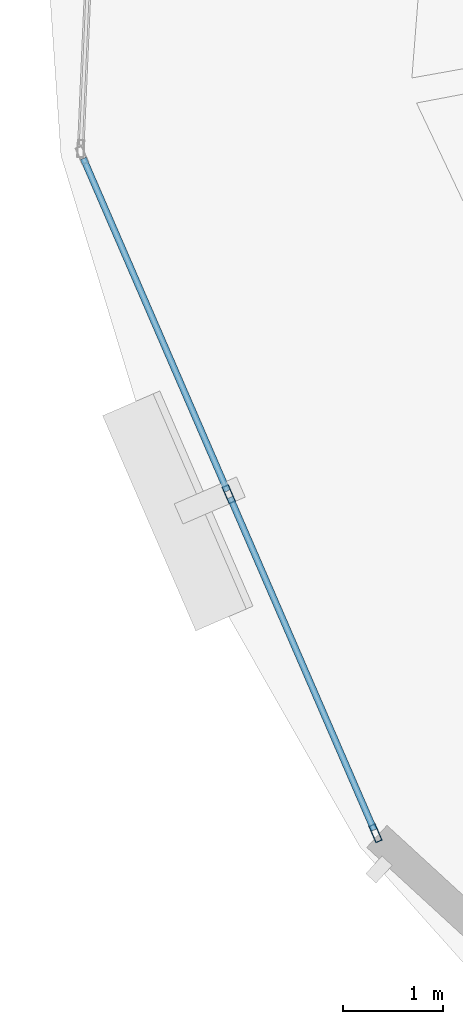
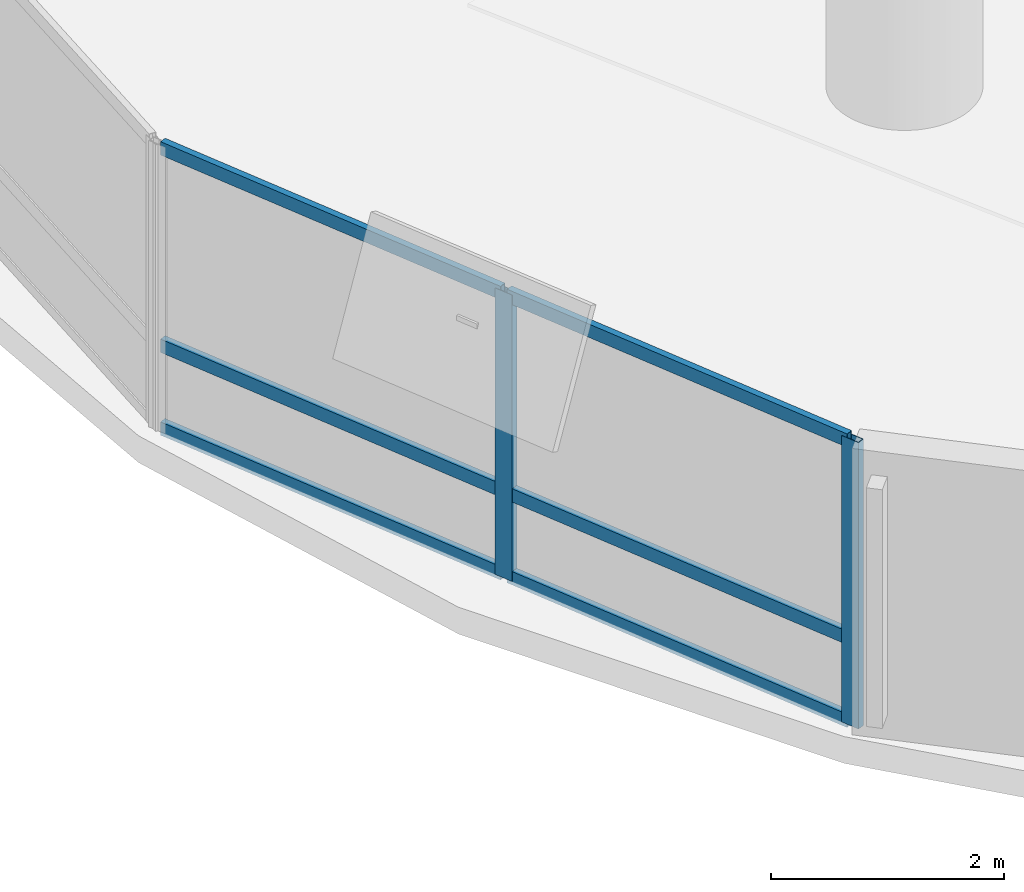
# One storey, part 2 of 17: 8 members, 1 element without a shape of its own.
"""IFC4 building model written with IfcOpenShell, lengths in metres."""

import ifcopenshell
import ifcopenshell.guid

model = None  # the IFC model being written
_history = None  # IfcOwnerHistory: only IFC2X3 demands one
_inside = {}  # id of a spatial element -> (the spatial element, [elements in it])
_under = {}  # id of a project, library or spatial element -> (it, [spatial elements below it])
_declared = {}  # id of a project -> (the project, [libraries it declares])
_typed = {}  # id of a type object -> (the type object, [elements of that type])
_made_of = {}  # id of a material, layer set ... -> (it, [elements and type objects made of it])


def new_model(schema):
    """Start an empty IFC model of exactly this schema.

    Asked for "IFC4X3", IfcOpenShell would pick the latest addendum, in which some entities
    have other attributes; the version numbers below select the first issue.
    IFC2X3 requires an IfcOwnerHistory on every rooted entity: one is made here for all.
    """
    global model, _history
    if schema == "IFC4X3":
        model = ifcopenshell.file(schema_version=(4, 3, 0, 0))
    else:
        model = ifcopenshell.file(schema=schema)
    _inside.clear()
    _under.clear()
    _declared.clear()
    _typed.clear()
    _made_of.clear()
    _history = None
    if model.schema == "IFC2X3":
        org = make("IfcOrganization", Name="unknown")
        user = make(
            "IfcPersonAndOrganization",
            ThePerson=make("IfcPerson", FamilyName="unknown"),
            TheOrganization=org,
        )
        app = make(
            "IfcApplication",
            ApplicationDeveloper=org,
            Version="unknown",
            ApplicationFullName="unknown",
            ApplicationIdentifier="unknown",
        )
        _history = make(
            "IfcOwnerHistory",
            OwningUser=user,
            OwningApplication=app,
            ChangeAction="ADDED",
            CreationDate=0,
        )
    return model


def make(cls, **values):
    """One entity of the class cls with the attributes given. An attribute that is None is left unset."""
    return model.create_entity(
        cls, **{name: value for name, value in values.items() if value is not None}
    )


def rooted(cls, **values):
    """An entity with a GlobalId (a new one), such as an element, a storey or a relation."""
    return make(cls, GlobalId=ifcopenshell.guid.new(), OwnerHistory=_history, **values)


def si_unit(unit_type, name, prefix=None):
    """IfcSIUnit, for example si_unit("LENGTHUNIT", "METRE", prefix="MILLI")."""
    return make("IfcSIUnit", UnitType=unit_type, Prefix=prefix, Name=name)


def assignment(units):
    """IfcUnitAssignment: the units of a project."""
    return None if units is None else make("IfcUnitAssignment", Units=units)


def point(xyz):
    """IfcCartesianPoint."""
    return None if xyz is None else make("IfcCartesianPoint", Coordinates=xyz)


def direction(xyz):
    """IfcDirection."""
    return None if xyz is None else make("IfcDirection", DirectionRatios=xyz)


def frame(location, z_axis=None, x_axis=None):
    """IfcAxis2Placement3D, a coordinate frame: its origin and axes. An axis left out is left unset."""
    return make(
        "IfcAxis2Placement3D",
        Location=point(location),
        Axis=direction(z_axis),
        RefDirection=direction(x_axis),
    )


def frame_2d(location, x_axis=None):
    """IfcAxis2Placement2D, a coordinate frame in the plane: its origin and x axis."""
    return make(
        "IfcAxis2Placement2D", Location=point(location), RefDirection=direction(x_axis)
    )


def origin():
    """The frame at (0, 0, 0) with its axes left unset."""
    return frame((0.0, 0.0, 0.0))


def origin_2d():
    """The frame at (0, 0) in the plane with its x axis left unset."""
    return frame_2d((0.0, 0.0))


def place(relative_to, where):
    """IfcLocalPlacement: puts the frame where relative to a parent placement (None: the world)."""
    return make(
        "IfcLocalPlacement", PlacementRelTo=relative_to, RelativePlacement=where
    )


def context(
    kind, dimensions, precision=None, world=None, true_north=None, identifier=None
):
    """IfcGeometricRepresentationContext, for example the 3D "Model" context."""
    return make(
        "IfcGeometricRepresentationContext",
        ContextIdentifier=identifier,
        ContextType=kind,
        CoordinateSpaceDimension=dimensions,
        Precision=precision,
        WorldCoordinateSystem=world,
        TrueNorth=true_north,
    )


def subcontext(parent, identifier, kind, view, scale=None):
    """IfcGeometricRepresentationSubContext, for example "Body" below "Model"."""
    return make(
        "IfcGeometricRepresentationSubContext",
        ContextIdentifier=identifier,
        ContextType=kind,
        ParentContext=parent,
        TargetScale=scale,
        TargetView=view,
    )


def project(units=None, contexts=None):
    """IfcProject with its units and contexts."""
    return rooted(
        "IfcProject",
        Name="project",
        RepresentationContexts=contexts,
        UnitsInContext=assignment(units),
    )


def spatial(cls, under=None, at=None, **own):
    """A site, building, storey or space (cls), placed at a placement, below another one or the project."""
    s = rooted(cls, ObjectPlacement=at, **own)
    if under is not None:
        _under.setdefault(under.id(), (under, []))[1].append(s)
    return s


def profile(cls, at=None, kind="AREA", **sizes):
    """A parametric profile (cls). Its sizes go by their IFC names, for example OverallWidth=200.0."""
    return make(cls, ProfileType=kind, Position=at, **sizes)


def hollow_rectangle(**sizes):
    """IfcRectangleHollowProfileDef."""
    return profile("IfcRectangleHollowProfileDef", **sizes)


def extrude(swept, where, along, depth):
    """IfcExtrudedAreaSolid: the profile swept, set in the frame where, extruded along a direction by depth."""
    return make(
        "IfcExtrudedAreaSolid",
        SweptArea=swept,
        Position=where,
        ExtrudedDirection=direction(along),
        Depth=depth,
    )


def shape(context_of_items, identifier, shape_type, items):
    """IfcShapeRepresentation: the items that make up one representation, for example the "Body"."""
    return make(
        "IfcShapeRepresentation",
        ContextOfItems=context_of_items,
        RepresentationIdentifier=identifier,
        RepresentationType=shape_type,
        Items=items,
    )


def material(Name=None, Category=None):
    """IfcMaterial."""
    return make("IfcMaterial", Name=Name, Category=Category)


def layer(
    of_material, thickness, ventilated=None, Name=None, Category=None, Priority=None
):
    """IfcMaterialLayer: one layer of a wall or slab, of a material (None: an air gap)."""
    return make(
        "IfcMaterialLayer",
        Material=of_material,
        LayerThickness=thickness,
        IsVentilated=ventilated,
        Name=Name,
        Category=Category,
        Priority=Priority,
    )


def layer_set(layers, Name=None):
    """IfcMaterialLayerSet."""
    return make("IfcMaterialLayerSet", MaterialLayers=layers, LayerSetName=Name)


def material_profile(
    of_material, cross_section, Name=None, Category=None, Priority=None
):
    """IfcMaterialProfile: a cross section and its material."""
    return make(
        "IfcMaterialProfile",
        Name=Name,
        Material=of_material,
        Profile=cross_section,
        Priority=Priority,
        Category=Category,
    )


def profile_set(profiles, Name=None, composite=None):
    """IfcMaterialProfileSet."""
    return make(
        "IfcMaterialProfileSet",
        Name=Name,
        MaterialProfiles=profiles,
        CompositeProfile=composite,
    )


def made_of(thing, what):
    """Note that an element or type object is made of a material, layer set ...; save() writes the relation."""
    if what is not None:
        _made_of.setdefault(what.id(), (what, []))[1].append(thing)
    return thing


def type_object(cls, material=None, **own):
    """A type object (cls), such as IfcWallType, which elements share."""
    return made_of(rooted(cls, **own), material)


def element(
    cls,
    number,
    at=None,
    inside=None,
    cuts=None,
    type_object=None,
    material=None,
    context=None,
    identifier="Body",
    shape_type=None,
    held_by="IfcProductDefinitionShape",
    body=None,
    shapes=None,
    **own,
):
    """One element of the class cls, such as IfcWall. Its Tag is "e" and its number.

    at: its placement. inside: the storey or other place that contains it. cuts: it is an
    opening in that element (IfcRelVoidsElement). A single representation is given by context,
    identifier, shape_type and body (its items); several are given by shapes. held_by: the class
    of the entity that holds the representations. save() writes the other relations.
    """
    e = rooted(cls, Tag="e%d" % number, ObjectPlacement=at, **own)
    if body is not None:
        shapes = [shape(context, identifier, shape_type, body)]
    if shapes is not None:
        e.Representation = make(held_by, Representations=shapes)
    if inside is not None:
        _inside.setdefault(inside.id(), (inside, []))[1].append(e)
    if cuts is not None:
        rooted(
            "IfcRelVoidsElement", RelatingBuildingElement=cuts, RelatedOpeningElement=e
        )
    if type_object is not None:
        _typed.setdefault(type_object.id(), (type_object, []))[1].append(e)
    return made_of(e, material)


def aggregate(whole, parts):
    """IfcRelAggregates: a whole, such as a stair, and the parts it consists of."""
    return rooted("IfcRelAggregates", RelatingObject=whole, RelatedObjects=parts)


def save(model, path):
    """Write the relations noted so far, then the file.

    IfcRelAggregates (storeys below a building ...), IfcRelContainedInSpatialStructure (elements
    in a storey), IfcRelDefinesByType, IfcRelAssociatesMaterial and IfcRelDeclares: one each for
    every whole, place, type object, material and project.
    """
    for whole, parts in _under.values():
        aggregate(whole, parts)
    for where, things in _inside.values():
        rooted(
            "IfcRelContainedInSpatialStructure",
            RelatedElements=things,
            RelatingStructure=where,
        )
    for kind, things in _typed.values():
        rooted("IfcRelDefinesByType", RelatedObjects=things, RelatingType=kind)
    for what, things in _made_of.values():
        rooted("IfcRelAssociatesMaterial", RelatedObjects=things, RelatingMaterial=what)
    for by, libraries in _declared.values():
        rooted("IfcRelDeclares", RelatingContext=by, RelatedDefinitions=libraries)
    model.write(path)


model = new_model("IFC4")

# Units and contexts
model_context = context("Model", 3, precision=1e-05, world=origin(), true_north=direction((0.0, 1.0)))
body_context = subcontext(model_context, "Body", "Model", "MODEL_VIEW")
ifc_project = project(units=[si_unit("LENGTHUNIT", "METRE"), si_unit("AREAUNIT", "SQUARE_METRE"), si_unit("VOLUMEUNIT", "CUBIC_METRE"), si_unit("PLANEANGLEUNIT", "RADIAN"), si_unit("MASSUNIT", "GRAM", prefix="KILO"), si_unit("THERMODYNAMICTEMPERATUREUNIT", "KELVIN"), si_unit("POWERUNIT", "WATT")], contexts=[model_context])

# Site, building, storey
site_placement = place(None, origin())
site = spatial("IfcSite", under=ifc_project, at=site_placement, CompositionType="ELEMENT")
building_placement = place(site_placement, origin())
building = spatial("IfcBuilding", under=site, at=building_placement, Name="Ocrelia Relay Tower", CompositionType="ELEMENT")
storey_placement = place(building_placement, frame((0.0, 0.0, 76.199951171875)))
storey = spatial("IfcBuildingStorey", under=building, at=storey_placement, Name="L17", CompositionType="ELEMENT", Elevation=76.199951171875)

# Curtain wall, members
ifc_material_1 = material(Name="Aluminium and solar-control low-E glass", Category="aluminium")
ifc_layer = layer(ifc_material_1, 0.179931640625, Name="Aluminium and solar-control low-E glass")
ifc_layer_set = layer_set([ifc_layer], Name="Aluminium and solar-control low-E glass")
curtain_wall_type = type_object("IfcCurtainWallType", Name="CW-SYS-Z1-DATA", PredefinedType="NOTDEFINED", material=ifc_layer_set)
curtain_wall_placement = place(storey_placement, origin())
curtain_wall = element("IfcCurtainWall", 1, at=curtain_wall_placement, inside=storey, type_object=curtain_wall_type, Name="L17 Elliptical Tower Curtain Wall Bay 10", PredefinedType="NOTDEFINED")
ifc_material_2 = material(Name="Anodised bronze aluminium", Category="aluminium")
ifc_material_profile_1 = material_profile(ifc_material_2, hollow_rectangle(XDim=0.070068359375, YDim=0.179931640625, WallThickness=0.006103515625, at=origin_2d()), Name="CW-MUL-180x70")
ifc_profile_set_1 = profile_set([ifc_material_profile_1], Name="Anodised bronze aluminium")
member_type_1 = type_object("IfcMemberType", Name="CW-SYS-Z1-DATA-MUL", PredefinedType="MULLION", material=ifc_profile_set_1)
member_1_placement = place(storey_placement, frame((8.146240234375, 17.527587890625, 0.0), z_axis=(0.0, 0.0, 1.0), x_axis=(0.917682954818, 0.397313471249, 0.0)))
member_1 = element("IfcMember", 2, at=member_1_placement, type_object=member_type_1, Name="CW-Z1 mullion 2", PredefinedType="MULLION", context=body_context, shape_type="SweptSolid", body=[
    extrude(hollow_rectangle(XDim=0.070068359375, YDim=0.179931640625, WallThickness=0.006103515625, at=origin_2d()), origin(), (0.0, 0.0, 1.0), 3.0),
])
member_2_placement = place(storey_placement, frame((9.6171875, 14.129638671875, 0.0), z_axis=(0.0, 0.0, 1.0), x_axis=(0.917682954818, 0.397313471249, 0.0)))
member_2 = element("IfcMember", 3, at=member_2_placement, type_object=member_type_1, Name="CW-Z1 mullion 3", PredefinedType="MULLION", context=body_context, shape_type="SweptSolid", body=[
    extrude(hollow_rectangle(XDim=0.070068359375, YDim=0.179931640625, WallThickness=0.006103515625, at=origin_2d()), origin(), (0.0, 0.0, 1.0), 3.0),
])
ifc_material_profile_2 = material_profile(ifc_material_2, hollow_rectangle(XDim=0.06494140625, YDim=0.139892578125, WallThickness=0.0048828125, at=origin_2d()), Name="CW-TRN-140x65")
ifc_profile_set_2 = profile_set([ifc_material_profile_2], Name="Anodised bronze aluminium")
member_type_2 = type_object("IfcMemberType", Name="CW-SYS-Z1-DATA-TRN", PredefinedType="USERDEFINED", material=ifc_profile_set_2)
member_3_placement = place(storey_placement, frame((6.68896484375, 20.8935546875, 0.032470703125), z_axis=(0.397315085778, -0.917682255802, 0.0), x_axis=(0.917682255802, 0.397315085778, 0.0)))
member_3 = element("IfcMember", 4, at=member_3_placement, type_object=member_type_2, Name="CW-Z1 transom 1.1", ObjectType="TRANSOM", PredefinedType="USERDEFINED", context=body_context, shape_type="SweptSolid", body=[
    extrude(hollow_rectangle(XDim=0.06494140625, YDim=0.139892578125, WallThickness=0.0048828125, at=origin_2d()), origin(), (0.0, 0.0, 1.0), 3.6328125),
])
member_4_placement = place(storey_placement, frame((6.68896484375, 20.8935546875, 0.900146484375), z_axis=(0.397315085778, -0.917682255802, 0.0), x_axis=(0.917682255802, 0.397315085778, 0.0)))
member_4 = element("IfcMember", 5, at=member_4_placement, type_object=member_type_2, Name="CW-Z1 transom 1.2", ObjectType="TRANSOM", PredefinedType="USERDEFINED", context=body_context, shape_type="SweptSolid", body=[
    extrude(hollow_rectangle(XDim=0.06494140625, YDim=0.139892578125, WallThickness=0.0048828125, at=origin_2d()), origin(), (0.0, 0.0, 1.0), 3.6328125),
])
member_5_placement = place(storey_placement, frame((6.68896484375, 20.8935546875, 2.967529296875), z_axis=(0.397315085778, -0.917682255802, 0.0), x_axis=(0.917682255802, 0.397315085778, 0.0)))
member_5 = element("IfcMember", 6, at=member_5_placement, type_object=member_type_2, Name="CW-Z1 transom 1.3", ObjectType="TRANSOM", PredefinedType="USERDEFINED", context=body_context, shape_type="SweptSolid", body=[
    extrude(hollow_rectangle(XDim=0.06494140625, YDim=0.139892578125, WallThickness=0.0048828125, at=origin_2d()), origin(), (0.0, 0.0, 1.0), 3.6328125),
])
member_6_placement = place(storey_placement, frame((8.16015625, 17.49560546875, 0.032470703125), z_axis=(0.397258487569, -0.917706758205, 0.0), x_axis=(0.917706758205, 0.397258487569, 0.0)))
member_6 = element("IfcMember", 7, at=member_6_placement, type_object=member_type_2, Name="CW-Z1 transom 2.1", ObjectType="TRANSOM", PredefinedType="USERDEFINED", context=body_context, shape_type="SweptSolid", body=[
    extrude(hollow_rectangle(XDim=0.06494140625, YDim=0.139892578125, WallThickness=0.0048828125, at=origin_2d()), origin(), (0.0, 0.0, 1.0), 3.632568359375),
])
member_7_placement = place(storey_placement, frame((8.16015625, 17.49560546875, 0.900146484375), z_axis=(0.397258487569, -0.917706758205, 0.0), x_axis=(0.917706758205, 0.397258487569, 0.0)))
member_7 = element("IfcMember", 8, at=member_7_placement, type_object=member_type_2, Name="CW-Z1 transom 2.2", ObjectType="TRANSOM", PredefinedType="USERDEFINED", context=body_context, shape_type="SweptSolid", body=[
    extrude(hollow_rectangle(XDim=0.06494140625, YDim=0.139892578125, WallThickness=0.0048828125, at=origin_2d()), origin(), (0.0, 0.0, 1.0), 3.632568359375),
])
member_8_placement = place(storey_placement, frame((8.16015625, 17.49560546875, 2.967529296875), z_axis=(0.397258487569, -0.917706758205, 0.0), x_axis=(0.917706758205, 0.397258487569, 0.0)))
member_8 = element("IfcMember", 9, at=member_8_placement, type_object=member_type_2, Name="CW-Z1 transom 2.3", ObjectType="TRANSOM", PredefinedType="USERDEFINED", context=body_context, shape_type="SweptSolid", body=[
    extrude(hollow_rectangle(XDim=0.06494140625, YDim=0.139892578125, WallThickness=0.0048828125, at=origin_2d()), origin(), (0.0, 0.0, 1.0), 3.632568359375),
])
aggregate(curtain_wall, [member_1, member_2, member_3, member_4, member_5, member_6, member_7, member_8])

save(model, "model.ifc")
